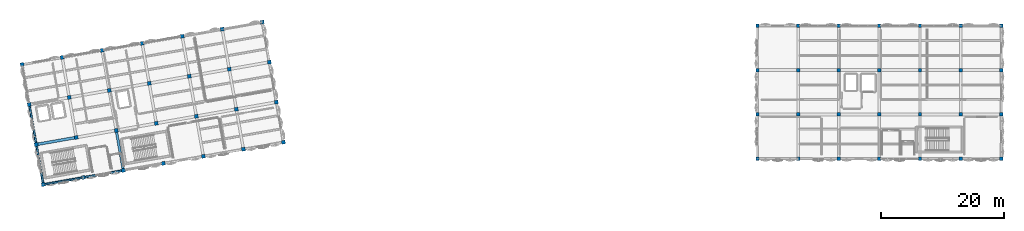
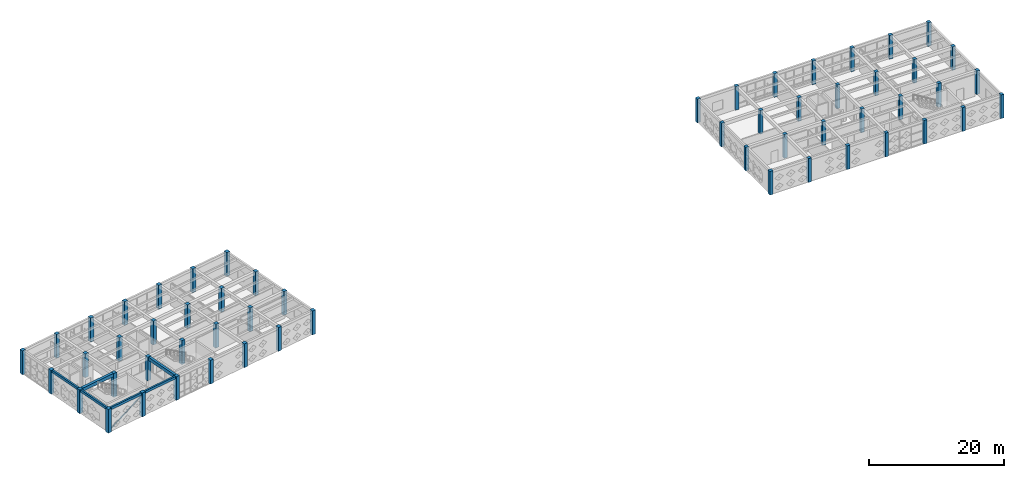
# One storey, part 1 of 36: 56 columns, 6 beams, 1 member.
"""IFC4 building model written with IfcOpenShell, lengths in metres."""

from ifc_helpers import new_model, si_unit, direction, frame, origin, origin_2d, place, context, subcontext, project, spatial, rectangle, hollow_rectangle, extrude, material, material_profile, profile_set, type_object, element, save


model = new_model("IFC4")

# Units and contexts
model_context = context("Model", 3, precision=1e-05, world=origin(), true_north=direction((0.0, 1.0)))
body_context = subcontext(model_context, "Body", "Model", "MODEL_VIEW")
ifc_project = project(units=[si_unit("LENGTHUNIT", "METRE"), si_unit("AREAUNIT", "SQUARE_METRE"), si_unit("VOLUMEUNIT", "CUBIC_METRE"), si_unit("PLANEANGLEUNIT", "RADIAN"), si_unit("MASSUNIT", "GRAM", prefix="KILO")], contexts=[model_context])

# Site, building, storey
site_placement = place(None, origin())
site = spatial("IfcSite", under=ifc_project, at=site_placement, CompositionType="ELEMENT")
building_placement = place(site_placement, origin())
building = spatial("IfcBuilding", under=site, at=building_placement, Name="Kharisveld Research Institute", CompositionType="ELEMENT")
storey_placement = place(building_placement, frame((0.0, 0.0, 27.60009765625)))
storey = spatial("IfcBuildingStorey", under=building, at=storey_placement, Name="L06", CompositionType="ELEMENT", Elevation=27.60009765625)

# Columns
ifc_material_1 = material(Name="Concrete C40/50", Category="concrete")
ifc_material_profile_1 = material_profile(ifc_material_1, rectangle(XDim=0.550048828125, YDim=0.550048828125, at=origin_2d()))
ifc_profile_set_1 = profile_set([ifc_material_profile_1], Name="Concrete C40/50")
column_type_1 = type_object("IfcColumnType", Name="COL_RC_550", PredefinedType="COLUMN", material=ifc_profile_set_1)
for number, where, z_axis, x_axis, name in (
    (1, (121.199951171875, 39.199951171875, 0.0), (0.0, 0.0, 1.0), (1.0, 0.0, 0.0), "COL:V2:L06:U1V0"),
    (2, (121.199951171875, 46.39990234375, 0.0), (0.0, 0.0, 1.0), (1.0, 0.0, 0.0), "COL:V2:L06:U1V1"),
    (3, (121.199951171875, 53.60009765625, 0.0), (0.0, 0.0, 1.0), (1.0, 0.0, 0.0), "COL:V2:L06:U1V2"),
    (4, (121.199951171875, 60.800048828125, 0.0), (0.0, 0.0, 1.0), (1.0, 0.0, 0.0), "COL:V2:L06:U1V3"),
    (5, (127.800048828125, 39.199951171875, 0.0), (0.0, 0.0, 1.0), (1.0, 0.0, 0.0), "COL:V2:L06:U2V0"),
    (6, (127.800048828125, 46.39990234375, 0.0), (0.0, 0.0, 1.0), (1.0, 0.0, 0.0), "COL:V2:L06:U2V1"),
    (7, (127.800048828125, 53.60009765625, 0.0), (0.0, 0.0, 1.0), (1.0, 0.0, 0.0), "COL:V2:L06:U2V2"),
    (8, (127.800048828125, 60.800048828125, 0.0), (0.0, 0.0, 1.0), (1.0, 0.0, 0.0), "COL:V2:L06:U2V3"),
    (9, (134.39990234375, 39.199951171875, 0.0), (0.0, 0.0, 1.0), (1.0, 0.0, 0.0), "COL:V2:L06:U3V0"),
    (10, (134.39990234375, 46.39990234375, 0.0), (0.0, 0.0, 1.0), (1.0, 0.0, 0.0), "COL:V2:L06:U3V1"),
    (11, (134.39990234375, 53.60009765625, 0.0), (0.0, 0.0, 1.0), (1.0, 0.0, 0.0), "COL:V2:L06:U3V2"),
    (12, (134.39990234375, 60.800048828125, 0.0), (0.0, 0.0, 1.0), (1.0, 0.0, 0.0), "COL:V2:L06:U3V3"),
    (13, (141.0, 39.199951171875, 0.0), (0.0, 0.0, 1.0), (1.0, 0.0, 0.0), "COL:V2:L06:U4V0"),
    (14, (141.0, 46.39990234375, 0.0), (0.0, 0.0, 1.0), (1.0, 0.0, 0.0), "COL:V2:L06:U4V1"),
    (15, (141.0, 53.60009765625, 0.0), (0.0, 0.0, 1.0), (1.0, 0.0, 0.0), "COL:V2:L06:U4V2"),
    (16, (141.0, 60.800048828125, 0.0), (0.0, 0.0, 1.0), (1.0, 0.0, 0.0), "COL:V2:L06:U4V3"),
    (17, (147.60009765625, 39.199951171875, 0.0), (0.0, 0.0, 1.0), (1.0, 0.0, 0.0), "COL:V2:L06:U5V0"),
    (18, (147.60009765625, 46.39990234375, 0.0), (0.0, 0.0, 1.0), (1.0, 0.0, 0.0), "COL:V2:L06:U5V1"),
    (19, (147.60009765625, 53.60009765625, 0.0), (0.0, 0.0, 1.0), (1.0, 0.0, 0.0), "COL:V2:L06:U5V2"),
    (20, (147.60009765625, 60.800048828125, 0.0), (0.0, 0.0, 1.0), (1.0, 0.0, 0.0), "COL:V2:L06:U5V3"),
    (21, (154.199951171875, 39.199951171875, 0.0), (0.0, 0.0, 1.0), (1.0, 0.0, 0.0), "COL:V2:L06:U6V0"),
    (22, (154.199951171875, 46.39990234375, 0.0), (0.0, 0.0, 1.0), (1.0, 0.0, 0.0), "COL:V2:L06:U6V1"),
    (23, (154.199951171875, 53.60009765625, 0.0), (0.0, 0.0, 1.0), (1.0, 0.0, 0.0), "COL:V2:L06:U6V2"),
    (24, (154.199951171875, 60.800048828125, 0.0), (0.0, 0.0, 1.0), (1.0, 0.0, 0.0), "COL:V2:L06:U6V3"),
    (25, (160.800048828125, 39.199951171875, 0.0), (0.0, 0.0, 1.0), (1.0, 0.0, 0.0), "COL:V2:L06:U7V0"),
    (26, (160.800048828125, 46.39990234375, 0.0), (0.0, 0.0, 1.0), (1.0, 0.0, 0.0), "COL:V2:L06:U7V1"),
    (27, (160.800048828125, 53.60009765625, 0.0), (0.0, 0.0, 1.0), (1.0, 0.0, 0.0), "COL:V2:L06:U7V2"),
    (28, (160.800048828125, 60.800048828125, 0.0), (0.0, 0.0, 1.0), (1.0, 0.0, 0.0), "COL:V2:L06:U7V3"),
):
    element("IfcColumn", number, at=place(storey_placement, frame(where, z_axis=z_axis, x_axis=x_axis)), inside=storey, type_object=column_type_1, Name=name, PredefinedType="COLUMN", context=body_context, shape_type="SweptSolid", body=[
        extrude(rectangle(XDim=0.550048828125, YDim=0.550048828125, at=origin_2d()), origin(), (0.0, 0.0, 1.0), 4.2998046875),
    ])
ifc_material_2 = material(Name="Concrete C40/50", Category="concrete")
ifc_material_profile_2 = material_profile(ifc_material_2, rectangle(XDim=0.60009765625, YDim=0.60009765625, at=origin_2d()))
ifc_profile_set_2 = profile_set([ifc_material_profile_2], Name="Concrete C40/50")
column_type_2 = type_object("IfcColumnType", Name="COL_RC_600", PredefinedType="COLUMN", material=ifc_profile_set_2)
for number, where, z_axis, x_axis, name in (
    (29, (5.199951171875, 35.010009765625, 0.0), (0.0, 0.0, 1.0), (0.984807753012, 0.173648177667, 0.0), "COL:V1:L06:U0V0"),
    (30, (4.053955078125, 41.509765625, 0.0), (0.0, 0.0, 1.0), (0.984807753012, 0.173648177667, 0.0), "COL:V1:L06:U0V1"),
    (31, (2.907958984375, 48.009521484375, 0.0), (0.0, 0.0, 1.0), (0.984807753012, 0.173648177667, 0.0), "COL:V1:L06:U0V2"),
    (32, (1.76171875, 54.50927734375, 0.0), (0.0, 0.0, 1.0), (0.984807753012, 0.173648177667, 0.0), "COL:V1:L06:U0V3"),
    (33, (11.69970703125, 36.156005859375, 0.0), (0.0, 0.0, 1.0), (0.984807753012, 0.173648177667, 0.0), "COL:V1:L06:U1V0"),
    (34, (10.5537109375, 42.65576171875, 0.0), (0.0, 0.0, 1.0), (0.984807753012, 0.173648177667, 0.0), "COL:V1:L06:U1V1"),
    (35, (9.407470703125, 49.155517578125, 0.0), (0.0, 0.0, 1.0), (0.984807753012, 0.173648177667, 0.0), "COL:V1:L06:U1V2"),
    (36, (8.261474609375, 55.6552734375, 0.0), (0.0, 0.0, 1.0), (0.984807753012, 0.173648177667, 0.0), "COL:V1:L06:U1V3"),
    (37, (18.199462890625, 37.30224609375, 0.0), (0.0, 0.0, 1.0), (0.984807753012, 0.173648177667, 0.0), "COL:V1:L06:U2V0"),
    (38, (17.053466796875, 43.802001953125, 0.0), (0.0, 0.0, 1.0), (0.984807753012, 0.173648177667, 0.0), "COL:V1:L06:U2V1"),
    (39, (15.9072265625, 50.301513671875, 0.0), (0.0, 0.0, 1.0), (0.984807753012, 0.173648177667, 0.0), "COL:V1:L06:U2V2"),
    (40, (14.76123046875, 56.80126953125, 0.0), (0.0, 0.0, 1.0), (0.984807753012, 0.173648177667, 0.0), "COL:V1:L06:U2V3"),
    (41, (24.69921875, 38.4482421875, 0.0), (0.0, 0.0, 1.0), (0.984807753012, 0.173648177667, 0.0), "COL:V1:L06:U3V0"),
    (42, (23.55322265625, 44.947998046875, 0.0), (0.0, 0.0, 1.0), (0.984807753012, 0.173648177667, 0.0), "COL:V1:L06:U3V1"),
    (43, (22.406982421875, 51.44775390625, 0.0), (0.0, 0.0, 1.0), (0.984807753012, 0.173648177667, 0.0), "COL:V1:L06:U3V2"),
    (44, (21.260986328125, 57.947509765625, 0.0), (0.0, 0.0, 1.0), (0.984807753012, 0.173648177667, 0.0), "COL:V1:L06:U3V3"),
    (45, (31.198974609375, 39.59423828125, 0.0), (0.0, 0.0, 1.0), (0.984807753012, 0.173648177667, 0.0), "COL:V1:L06:U4V0"),
    (46, (30.052734375, 46.093994140625, 0.0), (0.0, 0.0, 1.0), (0.984807753012, 0.173648177667, 0.0), "COL:V1:L06:U4V1"),
    (47, (28.90673828125, 52.59375, 0.0), (0.0, 0.0, 1.0), (0.984807753012, 0.173648177667, 0.0), "COL:V1:L06:U4V2"),
    (48, (27.7607421875, 59.093505859375, 0.0), (0.0, 0.0, 1.0), (0.984807753012, 0.173648177667, 0.0), "COL:V1:L06:U4V3"),
    (49, (37.69873046875, 40.740478515625, 0.0), (0.0, 0.0, 1.0), (0.984807753012, 0.173648177667, 0.0), "COL:V1:L06:U5V0"),
    (50, (36.552490234375, 47.240234375, 0.0), (0.0, 0.0, 1.0), (0.984807753012, 0.173648177667, 0.0), "COL:V1:L06:U5V1"),
    (51, (35.406494140625, 53.73974609375, 0.0), (0.0, 0.0, 1.0), (0.984807753012, 0.173648177667, 0.0), "COL:V1:L06:U5V2"),
    (52, (34.260498046875, 60.239501953125, 0.0), (0.0, 0.0, 1.0), (0.984807753012, 0.173648177667, 0.0), "COL:V1:L06:U5V3"),
    (53, (44.198486328125, 41.886474609375, 0.0), (0.0, 0.0, 1.0), (0.984807753012, 0.173648177667, 0.0), "COL:V1:L06:U6V0"),
    (54, (43.05224609375, 48.38623046875, 0.0), (0.0, 0.0, 1.0), (0.984807753012, 0.173648177667, 0.0), "COL:V1:L06:U6V1"),
    (55, (41.90625, 54.885986328125, 0.0), (0.0, 0.0, 1.0), (0.984807753012, 0.173648177667, 0.0), "COL:V1:L06:U6V2"),
    (56, (40.76025390625, 61.3857421875, 0.0), (0.0, 0.0, 1.0), (0.984807753012, 0.173648177667, 0.0), "COL:V1:L06:U6V3"),
):
    element("IfcColumn", number, at=place(storey_placement, frame(where, z_axis=z_axis, x_axis=x_axis)), inside=storey, type_object=column_type_2, Name=name, PredefinedType="COLUMN", context=body_context, shape_type="SweptSolid", body=[
        extrude(rectangle(XDim=0.60009765625, YDim=0.60009765625, at=origin_2d()), origin(), (0.0, 0.0, 1.0), 4.31982421875),
    ])

# Beams
ifc_material_3 = material(Name="Concrete C40/50", Category="concrete")
ifc_material_profile_3 = material_profile(ifc_material_3, rectangle(XDim=0.39990234375, YDim=0.60009765625, at=origin_2d()))
ifc_profile_set_3 = profile_set([ifc_material_profile_3], Name="Concrete C40/50")
beam_type_1 = type_object("IfcBeamType", Name="BM_RC_400x600", PredefinedType="BEAM", material=ifc_profile_set_3)
beam_1_placement = place(storey_placement, frame((18.1474609375, 37.59765625, 4.02001953125), z_axis=(-0.173669267716, 0.984804034035, 0.0), x_axis=(-0.984804034035, -0.173669267716, 0.0)))
element("IfcBeam", 57, at=beam_1_placement, inside=storey, type_object=beam_type_1, Name="BM:V1:L06:V2_0", PredefinedType="BEAM", context=body_context, shape_type="SweptSolid", body=[
    extrude(rectangle(XDim=0.39990234375, YDim=0.60009765625, at=origin_2d()), origin(), (0.0, 0.0, 1.0), 5.999755859375),
])
ifc_material_4 = material(Name="Concrete C40/50", Category="concrete")
ifc_material_profile_4 = material_profile(ifc_material_4, rectangle(XDim=0.449951171875, YDim=0.60009765625, at=origin_2d()))
ifc_profile_set_4 = profile_set([ifc_material_profile_4], Name="Concrete C40/50")
beam_type_2 = type_object("IfcBeamType", Name="BM_RC_450x600", PredefinedType="BEAM", material=ifc_profile_set_4)
beam_2_placement = place(storey_placement, frame((4.349365234375, 41.561767578125, 4.02001953125), z_axis=(0.984805261243, 0.173662308598, 0.0), x_axis=(-0.173662308598, 0.984805261243, 0.0)))
element("IfcBeam", 58, at=beam_2_placement, inside=storey, type_object=beam_type_2, Name="BM:V1:L06:U0_1", PredefinedType="BEAM", context=body_context, shape_type="SweptSolid", body=[
    extrude(rectangle(XDim=0.449951171875, YDim=0.60009765625, at=origin_2d()), origin(), (0.0, 0.0, 1.0), 6.0),
])

# Member
ifc_material_5 = material(Name="Steel S355J2H", Category="steel")
ifc_material_profile_5 = material_profile(ifc_material_5, hollow_rectangle(XDim=0.14990234375, YDim=0.14990234375, WallThickness=0.008056640625, at=origin_2d()))
ifc_profile_set_5 = profile_set([ifc_material_profile_5], Name="Steel S355J2H")
member_type = type_object("IfcMemberType", Name="BR_SHS150", PredefinedType="BRACE", material=ifc_profile_set_5)
member_placement = place(storey_placement, frame((5.298583984375, 35.02734375, 0.199951171875), z_axis=(0.860046737569, 0.151647534452, 0.487157710082), x_axis=(-0.173646056486, 0.984808127031, 0.0)))
element("IfcMember", 59, at=member_placement, inside=storey, type_object=member_type, Name="MEM:V1:L06:BR_0_0", PredefinedType="BRACE", context=body_context, shape_type="SweptSolid", body=[
    extrude(hollow_rectangle(XDim=0.14990234375, YDim=0.14990234375, WallThickness=0.008056640625, at=origin_2d()), origin(), (0.0, 0.0, 1.0), 7.328369140625),
])

# Beams
ifc_material_6 = material(Name="Concrete C40/50", Category="concrete")
ifc_material_profile_6 = material_profile(ifc_material_6, rectangle(XDim=0.300048828125, YDim=0.449951171875, at=origin_2d()))
ifc_profile_set_6 = profile_set([ifc_material_profile_6], Name="Concrete C40/50")
beam_type_3 = type_object("IfcBeamType", Name="SP_RC_300x450", PredefinedType="SPANDREL", material=ifc_profile_set_6)
for number, where, z_axis, x_axis, name in (
    (60, (5.495361328125, 35.06201171875, 4.094970703125), (0.984805261243, 0.173662308598, 0.0), (-0.173662308598, 0.984805261243, 0.0), "BM:V1:L06:U0_0"),
    (61, (11.9951171875, 36.208251953125, 4.094970703125), (0.984812219346, 0.173622845926, 0.0), (-0.173622845926, 0.984812219346, 0.0), "BM:V1:L06:U1_0"),
    (62, (5.14794921875, 35.305419921875, 4.094970703125), (-0.173662308598, 0.984805261243, 0.0), (-0.984805261243, -0.173662308598, 0.0), "BM:V1:L06:V0_0"),
    (63, (4.001708984375, 41.80517578125, 4.094970703125), (-0.173622845926, 0.984812219346, 0.0), (-0.984812219346, -0.173622845926, 0.0), "BM:V1:L06:V0_1"),
):
    element("IfcBeam", number, at=place(storey_placement, frame(where, z_axis=z_axis, x_axis=x_axis)), inside=storey, type_object=beam_type_3, Name=name, PredefinedType="SPANDREL", context=body_context, shape_type="SweptSolid", body=[
        extrude(rectangle(XDim=0.300048828125, YDim=0.449951171875, at=origin_2d()), origin(), (0.0, 0.0, 1.0), 6.0),
    ])

save(model, "model.ifc")
